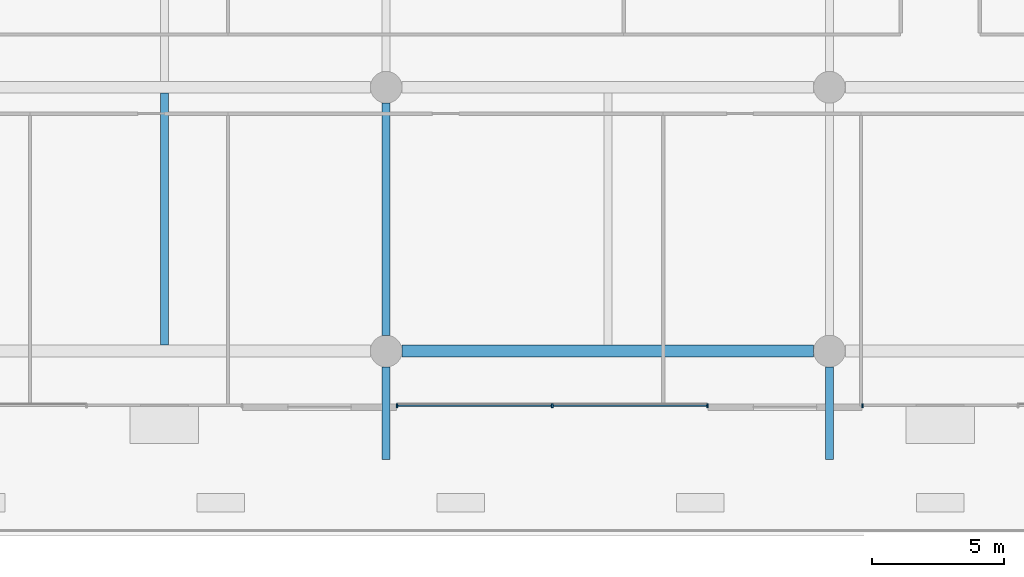
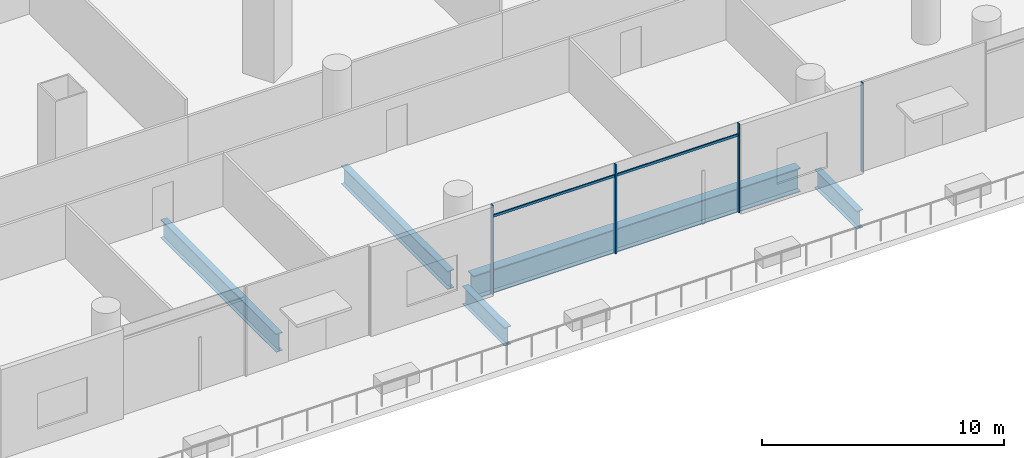
# One storey, part 5 of 43: 6 members, 5 beams, 1 element without a shape of its own.
"""IFC4 building model written with IfcOpenShell, lengths in metres."""

from ifc_helpers import new_model, si_unit, direction, frame, origin, origin_2d, place, context, subcontext, project, spatial, rectangle, i_section, extrude, material, material_profile, profile_set, type_object, element, aggregate, save


model = new_model("IFC4")

# Units and contexts
model_context = context("Model", 3, precision=1e-05, world=origin(), true_north=direction((0.0, 1.0)))
body_context = subcontext(model_context, "Body", "Model", "MODEL_VIEW")
ifc_project = project(units=[si_unit("LENGTHUNIT", "METRE"), si_unit("AREAUNIT", "SQUARE_METRE"), si_unit("VOLUMEUNIT", "CUBIC_METRE"), si_unit("PLANEANGLEUNIT", "RADIAN"), si_unit("MASSUNIT", "GRAM", prefix="KILO")], contexts=[model_context])

# Site, building, storey
site_placement = place(None, origin())
site = spatial("IfcSite", under=ifc_project, at=site_placement, CompositionType="ELEMENT")
building_placement = place(site_placement, origin())
building = spatial("IfcBuilding", under=site, at=building_placement, Name="Rimbun Link Towers", CompositionType="ELEMENT")
storey_placement = place(building_placement, frame((0.0, 0.0, 12.0)))
storey = spatial("IfcBuildingStorey", under=building, at=storey_placement, Name="L02", CompositionType="ELEMENT", Elevation=12.0)

# Curtain wall, members
ifc_material_1 = material(Name="Aluminium 6063-T6 and low-iron glass", Category="aluminium")
curtain_wall_type = type_object("IfcCurtainWallType", Name="CW3 podium shopfront", PredefinedType="NOTDEFINED", material=ifc_material_1)
curtain_wall_placement = place(storey_placement, origin())
curtain_wall = element("IfcCurtainWall", 1, at=curtain_wall_placement, inside=storey, type_object=curtain_wall_type, Name="CW3 L02 PD", PredefinedType="NOTDEFINED")
ifc_material_2 = material(Name="Aluminium 6063-T6", Category="aluminium")
ifc_material_profile_1 = material_profile(ifc_material_2, rectangle(XDim=0.14990234375, YDim=0.06005859375, at=origin_2d()), Name="MULLION 60X150")
ifc_profile_set_1 = profile_set([ifc_material_profile_1], Name="Aluminium 6063-T6")
member_type_1 = type_object("IfcMemberType", Name="CW3 mullion 60X150", PredefinedType="MULLION", material=ifc_profile_set_1)
member_1_placement = place(storey_placement, frame((-20.588134765625, -38.074951171875, 0.0), z_axis=(0.0, 0.0, 1.0), x_axis=(0.0, -1.0, 0.0)))
member_1 = element("IfcMember", 2, at=member_1_placement, type_object=member_type_1, Name="CW3 mullion", PredefinedType="MULLION", context=body_context, shape_type="SweptSolid", body=[
    extrude(rectangle(XDim=0.14990234375, YDim=0.06005859375, at=origin_2d()), origin(), (0.0, 0.0, 1.0), 4.5),
])
member_2_placement = place(storey_placement, frame((-14.705810546875, -38.074951171875, 0.0), z_axis=(0.0, 0.0, 1.0), x_axis=(0.0, -1.0, 0.0)))
member_2 = element("IfcMember", 3, at=member_2_placement, type_object=member_type_1, Name="CW3 mullion", PredefinedType="MULLION", context=body_context, shape_type="SweptSolid", body=[
    extrude(rectangle(XDim=0.14990234375, YDim=0.06005859375, at=origin_2d()), origin(), (0.0, 0.0, 1.0), 4.5),
])
member_3_placement = place(storey_placement, frame((-8.823486328125, -38.074951171875, 0.0), z_axis=(0.0, 0.0, 1.0), x_axis=(0.0, -1.0, 0.0)))
member_3 = element("IfcMember", 4, at=member_3_placement, type_object=member_type_1, Name="CW3 mullion", PredefinedType="MULLION", context=body_context, shape_type="SweptSolid", body=[
    extrude(rectangle(XDim=0.14990234375, YDim=0.06005859375, at=origin_2d()), origin(), (0.0, 0.0, 1.0), 4.5),
])
member_4_placement = place(storey_placement, frame((-2.941162109375, -38.074951171875, 0.0), z_axis=(0.0, 0.0, 1.0), x_axis=(0.0, -1.0, 0.0)))
member_4 = element("IfcMember", 5, at=member_4_placement, type_object=member_type_1, Name="CW3 mullion", PredefinedType="MULLION", context=body_context, shape_type="SweptSolid", body=[
    extrude(rectangle(XDim=0.14990234375, YDim=0.06005859375, at=origin_2d()), origin(), (0.0, 0.0, 1.0), 4.5),
])
ifc_material_3 = material(Name="Aluminium 6063-T6", Category="aluminium")
ifc_material_profile_2 = material_profile(ifc_material_3, rectangle(XDim=0.06005859375, YDim=0.1201171875, at=origin_2d()), Name="TRANSOM 60X120")
ifc_profile_set_2 = profile_set([ifc_material_profile_2], Name="Aluminium 6063-T6")
member_type_2 = type_object("IfcMemberType", Name="CW3 transom 60X120", PredefinedType="USERDEFINED", material=ifc_profile_set_2)
member_5_placement = place(storey_placement, frame((-14.73583984375, -38.053955078125, 3.89990234375), z_axis=(-1.0, 0.0, 0.0), x_axis=(0.0, -1.0, 0.0)))
member_5 = element("IfcMember", 6, at=member_5_placement, type_object=member_type_2, Name="CW3 transom", ObjectType="TRANSOM", PredefinedType="USERDEFINED", context=body_context, shape_type="SweptSolid", body=[
    extrude(rectangle(XDim=0.06005859375, YDim=0.1201171875, at=origin_2d()), origin(), (0.0, 0.0, 1.0), 5.822509765625),
])
member_6_placement = place(storey_placement, frame((-8.853515625, -38.053955078125, 3.89990234375), z_axis=(-1.0, 0.0, 0.0), x_axis=(0.0, -1.0, 0.0)))
member_6 = element("IfcMember", 7, at=member_6_placement, type_object=member_type_2, Name="CW3 transom", ObjectType="TRANSOM", PredefinedType="USERDEFINED", context=body_context, shape_type="SweptSolid", body=[
    extrude(rectangle(XDim=0.06005859375, YDim=0.1201171875, at=origin_2d()), origin(), (0.0, 0.0, 1.0), 5.822265625),
])
aggregate(curtain_wall, [member_1, member_2, member_3, member_4, member_5, member_6])

# Beams
ifc_material_4 = material(Name="Steel S355J2", Category="steel")
ifc_material_profile_3 = material_profile(ifc_material_4, i_section(OverallWidth=0.449951171875, OverallDepth=1.199951171875, WebThickness=0.030029296875, FlangeThickness=0.044921875, at=origin_2d()), Name="PG 1200x450x30/45")
ifc_profile_set_3 = profile_set([ifc_material_profile_3], Name="Steel S355J2")
beam_type_1 = type_object("IfcBeamType", Name="PG 1200x450x30/45", PredefinedType="BEAM", material=ifc_profile_set_3)
beam_1_placement = place(storey_placement, frame((-20.39990234375, -36.0, -0.89990234375), z_axis=(1.0, 0.0, 0.0), x_axis=(0.0, 1.0, 0.0)))
element("IfcBeam", 8, at=beam_1_placement, inside=storey, type_object=beam_type_1, Name="Grid beam L02 -36.0", PredefinedType="BEAM", context=body_context, shape_type="SweptSolid", body=[
    extrude(i_section(OverallWidth=0.449951171875, OverallDepth=1.199951171875, WebThickness=0.030029296875, FlangeThickness=0.044921875, at=origin_2d()), origin(), (0.0, 0.0, 1.0), 15.599853515625),
])
ifc_material_5 = material(Name="Steel S355J2", Category="steel")
ifc_material_profile_4 = material_profile(ifc_material_5, i_section(OverallWidth=0.305419921875, OverallDepth=0.91845703125, WebThickness=0.017333984375, FlangeThickness=0.02783203125, at=origin_2d()), Name="UB 914x305x253")
ifc_profile_set_4 = profile_set([ifc_material_profile_4], Name="Steel S355J2")
beam_type_2 = type_object("IfcBeamType", Name="UB 914x305x253", PredefinedType="BEAM", material=ifc_profile_set_4)
beam_2_placement = place(storey_placement, frame((-29.39990234375, -35.77490234375, -0.75927734375), z_axis=(0.0, 1.0, 0.0), x_axis=(-1.0, 0.0, 0.0)))
element("IfcBeam", 9, at=beam_2_placement, inside=storey, type_object=beam_type_2, Name="Grid beam L02 -29.4", PredefinedType="BEAM", context=body_context, shape_type="SweptSolid", body=[
    extrude(i_section(OverallWidth=0.305419921875, OverallDepth=0.91845703125, WebThickness=0.017333984375, FlangeThickness=0.02783203125, at=origin_2d()), origin(), (0.0, 0.0, 1.0), 9.5498046875),
])
beam_3_placement = place(storey_placement, frame((-21.0, -40.10009765625, -0.75927734375), z_axis=(0.0, 1.0, 0.0), x_axis=(-1.0, 0.0, 0.0)))
element("IfcBeam", 10, at=beam_3_placement, inside=storey, type_object=beam_type_2, Name="Grid beam L02 -21.0", PredefinedType="BEAM", context=body_context, shape_type="SweptSolid", body=[
    extrude(i_section(OverallWidth=0.305419921875, OverallDepth=0.91845703125, WebThickness=0.017333984375, FlangeThickness=0.02783203125, at=origin_2d()), origin(), (0.0, 0.0, 1.0), 3.5),
])
beam_4_placement = place(storey_placement, frame((-21.0, -35.39990234375, -0.75927734375), z_axis=(0.0, 1.0, 0.0), x_axis=(-1.0, 0.0, 0.0)))
element("IfcBeam", 11, at=beam_4_placement, inside=storey, type_object=beam_type_2, Name="Grid beam L02 -21.0", PredefinedType="BEAM", context=body_context, shape_type="SweptSolid", body=[
    extrude(i_section(OverallWidth=0.305419921875, OverallDepth=0.91845703125, WebThickness=0.017333984375, FlangeThickness=0.02783203125, at=origin_2d()), origin(), (0.0, 0.0, 1.0), 8.7998046875),
])
beam_5_placement = place(storey_placement, frame((-4.199951171875, -40.10009765625, -0.75927734375), z_axis=(0.0, 1.0, 0.0), x_axis=(-1.0, 0.0, 0.0)))
element("IfcBeam", 12, at=beam_5_placement, inside=storey, type_object=beam_type_2, Name="Grid beam L02 -4.2", PredefinedType="BEAM", context=body_context, shape_type="SweptSolid", body=[
    extrude(i_section(OverallWidth=0.305419921875, OverallDepth=0.91845703125, WebThickness=0.017333984375, FlangeThickness=0.02783203125, at=origin_2d()), origin(), (0.0, 0.0, 1.0), 3.5),
])

save(model, "model.ifc")
